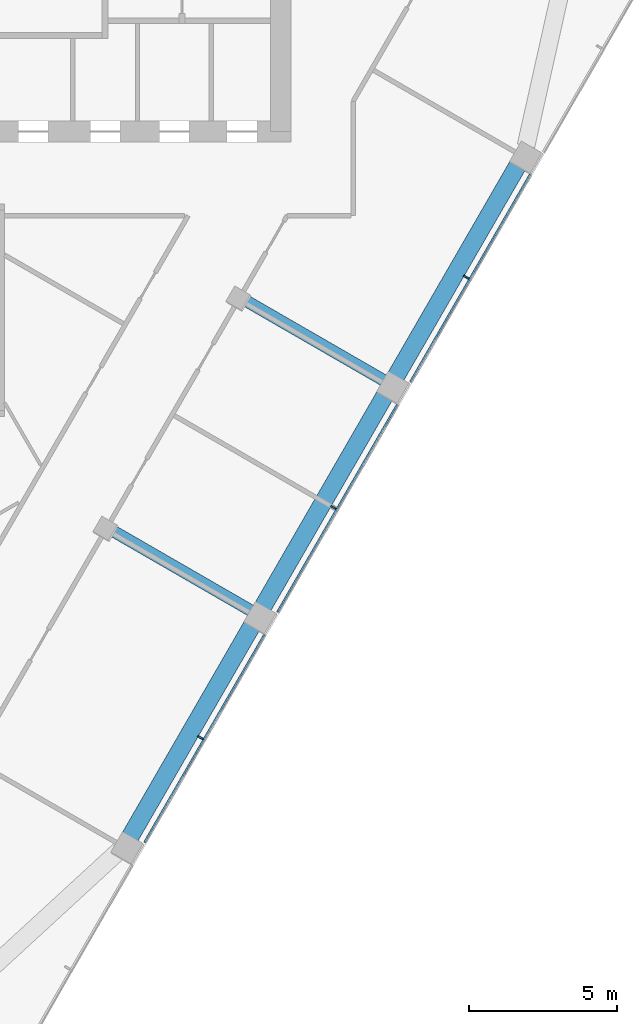
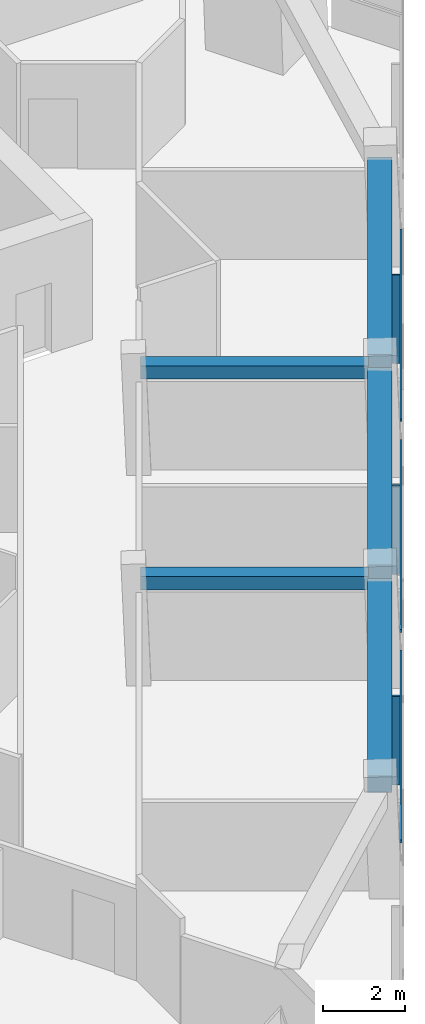
# One storey, part 4 of 13: 6 members, 5 beams, 1 element without a shape of its own.
"""IFC4 building model written with IfcOpenShell, lengths in metres."""

from ifc_helpers import new_model, si_unit, direction, frame, origin, origin_2d, place, context, subcontext, project, spatial, rectangle, extrude, material, layer, layer_set, material_profile, profile_set, type_object, element, aggregate, save


model = new_model("IFC4")

# Units and contexts
model_context = context("Model", 3, precision=1e-05, world=origin(), true_north=direction((0.0, 1.0)))
body_context = subcontext(model_context, "Body", "Model", "MODEL_VIEW")
ifc_project = project(units=[si_unit("LENGTHUNIT", "METRE"), si_unit("AREAUNIT", "SQUARE_METRE"), si_unit("VOLUMEUNIT", "CUBIC_METRE"), si_unit("PLANEANGLEUNIT", "RADIAN"), si_unit("MASSUNIT", "GRAM", prefix="KILO")], contexts=[model_context])

# Site, building, storey
site_placement = place(None, origin())
site = spatial("IfcSite", under=ifc_project, at=site_placement, CompositionType="ELEMENT")
building_placement = place(site_placement, origin())
building = spatial("IfcBuilding", under=site, at=building_placement, Name="Altiplano Prism Tower", CompositionType="ELEMENT")
storey_placement = place(building_placement, frame((0.0, 0.0, 201.60009765625)))
storey = spatial("IfcBuildingStorey", under=building, at=storey_placement, Name="L52", CompositionType="ELEMENT", Elevation=201.60009765625)

# Curtain wall, members
ifc_material_1 = material(Name="Aluminium and glass", Category="aluminium")
ifc_layer = layer(ifc_material_1, 0.303955078125)
ifc_layer_set = layer_set([ifc_layer], Name="Aluminium and glass")
curtain_wall_type = type_object("IfcCurtainWallType", Name="CW2 lounge-band unitised glazing", PredefinedType="NOTDEFINED", material=ifc_layer_set)
curtain_wall_placement = place(storey_placement, origin())
curtain_wall = element("IfcCurtainWall", 1, at=curtain_wall_placement, inside=storey, type_object=curtain_wall_type, Name="CW2 curtain wall south-east face L52", PredefinedType="NOTDEFINED")
ifc_material_2 = material(Name="Aluminium", Category="aluminium")
ifc_material_profile_1 = material_profile(ifc_material_2, rectangle(XDim=0.199951171875, YDim=0.06005859375, at=origin_2d()), Name="CW2 mullion 60 x 200")
ifc_profile_set_1 = profile_set([ifc_material_profile_1], Name="Aluminium")
member_type_1 = type_object("IfcMemberType", Name="CW2 mullion 60 x 200", PredefinedType="MULLION", material=ifc_profile_set_1)
member_1_placement = place(storey_placement, frame((94.63037109375, 72.52734375, 0.0), z_axis=(0.0, 0.0, 1.0), x_axis=(-0.866025408017, 0.499999992669, 0.0)))
member_1 = element("IfcMember", 2, at=member_1_placement, type_object=member_type_1, Name="CW2 mullion", PredefinedType="MULLION", context=body_context, shape_type="SweptSolid", body=[
    extrude(rectangle(XDim=0.199951171875, YDim=0.06005859375, at=origin_2d()), origin(), (0.0, 0.0, 1.0), 2.64990234375),
])
member_2_placement = place(storey_placement, frame((99.13037109375, 80.321533203125, 0.0), z_axis=(0.0, 0.0, 1.0), x_axis=(-0.866025408017, 0.499999992669, 0.0)))
member_2 = element("IfcMember", 3, at=member_2_placement, type_object=member_type_1, Name="CW2 mullion", PredefinedType="MULLION", context=body_context, shape_type="SweptSolid", body=[
    extrude(rectangle(XDim=0.199951171875, YDim=0.06005859375, at=origin_2d()), origin(), (0.0, 0.0, 1.0), 2.64990234375),
])
member_3_placement = place(storey_placement, frame((103.63037109375, 88.11572265625, 0.0), z_axis=(0.0, 0.0, 1.0), x_axis=(-0.866025408017, 0.499999992669, 0.0)))
member_3 = element("IfcMember", 4, at=member_3_placement, type_object=member_type_1, Name="CW2 mullion", PredefinedType="MULLION", context=body_context, shape_type="SweptSolid", body=[
    extrude(rectangle(XDim=0.199951171875, YDim=0.06005859375, at=origin_2d()), origin(), (0.0, 0.0, 1.0), 2.64990234375),
])
ifc_material_profile_2 = material_profile(ifc_material_2, rectangle(XDim=0.06005859375, YDim=0.080078125, at=origin_2d()), Name="CW2 transom 80 x 60")
ifc_profile_set_2 = profile_set([ifc_material_profile_2], Name="Aluminium")
member_type_2 = type_object("IfcMemberType", Name="CW2 transom 80 x 60", PredefinedType="USERDEFINED", material=ifc_profile_set_2)
member_4_placement = place(storey_placement, frame((92.732666015625, 68.98046875, 1.099853515625), z_axis=(0.50001308349, 0.866017849896, 0.0), x_axis=(-0.866017849896, 0.50001308349, 0.0)))
member_4 = element("IfcMember", 5, at=member_4_placement, type_object=member_type_2, Name="CW2 transom", ObjectType="TRANSOM", PredefinedType="USERDEFINED", context=body_context, shape_type="SweptSolid", body=[
    extrude(rectangle(XDim=0.06005859375, YDim=0.080078125, at=origin_2d()), origin(), (0.0, 0.0, 1.0), 8.119873046875),
])
member_5_placement = place(storey_placement, frame((97.232666015625, 76.774658203125, 1.099853515625), z_axis=(0.50001308349, 0.866017849896, 0.0), x_axis=(-0.866017849896, 0.50001308349, 0.0)))
member_5 = element("IfcMember", 6, at=member_5_placement, type_object=member_type_2, Name="CW2 transom", ObjectType="TRANSOM", PredefinedType="USERDEFINED", context=body_context, shape_type="SweptSolid", body=[
    extrude(rectangle(XDim=0.06005859375, YDim=0.080078125, at=origin_2d()), origin(), (0.0, 0.0, 1.0), 8.119873046875),
])
member_6_placement = place(storey_placement, frame((101.732666015625, 84.56884765625, 1.099853515625), z_axis=(0.50001308349, 0.866017849896, 0.0), x_axis=(-0.866017849896, 0.50001308349, 0.0)))
member_6 = element("IfcMember", 7, at=member_6_placement, type_object=member_type_2, Name="CW2 transom", ObjectType="TRANSOM", PredefinedType="USERDEFINED", context=body_context, shape_type="SweptSolid", body=[
    extrude(rectangle(XDim=0.06005859375, YDim=0.080078125, at=origin_2d()), origin(), (0.0, 0.0, 1.0), 8.119873046875),
])
aggregate(curtain_wall, [member_1, member_4, member_2, member_5, member_3, member_6])

# Beams
ifc_material_3 = material(Name="Concrete C60/75", Category="concrete")
ifc_material_profile_3 = material_profile(ifc_material_3, rectangle(XDim=0.60009765625, YDim=0.5, at=origin_2d()), Name="Edge beam 600x500")
ifc_profile_set_3 = profile_set([ifc_material_profile_3], Name="Concrete C60/75")
beam_type_1 = type_object("IfcBeamType", Name="Edge beam 600x500", PredefinedType="SPANDREL", material=ifc_profile_set_3)
for number, where, z_axis, x_axis, name in (
    (8, (92.227294921875, 69.13427734375, 2.89990234375), (0.500006240468, 0.866021800818, 0.0), (-0.866021800818, 0.500006240468, 0.0), "Edge beam P21-P22 L53"),
    (9, (96.727294921875, 76.928466796875, 2.89990234375), (0.500006240468, 0.866021800818, 0.0), (-0.866021800818, 0.500006240468, 0.0), "Edge beam P22-P23 L53"),
    (10, (101.227294921875, 84.72265625, 2.89990234375), (0.499993714791, 0.866029032521, 0.0), (-0.866029032521, 0.499993714791, 0.0), "Edge beam P23-P24 L53"),
):
    element("IfcBeam", number, at=place(storey_placement, frame(where, z_axis=z_axis, x_axis=x_axis)), inside=storey, type_object=beam_type_1, Name=name, PredefinedType="SPANDREL", context=body_context, shape_type="SweptSolid", body=[
        extrude(rectangle(XDim=0.60009765625, YDim=0.5, at=origin_2d()), origin(), (0.0, 0.0, 1.0), 8.43994140625),
    ])
ifc_material_profile_4 = material_profile(ifc_material_3, rectangle(XDim=0.39990234375, YDim=0.39990234375, at=origin_2d()), Name="Tie beam 400x400")
ifc_profile_set_4 = profile_set([ifc_material_profile_4], Name="Concrete C60/75")
beam_type_2 = type_object("IfcBeamType", Name="Tie beam 400x400", PredefinedType="BEAM", material=ifc_profile_set_4)
for number, where, z_axis, x_axis, name in (
    (11, (91.503662109375, 79.620849609375, 2.949951171875), (0.866041588165, -0.499971966783, 0.0), (0.499971966783, 0.866041588165, 0.0), "Tie beam I22 L53"),
    (12, (96.003662109375, 87.4150390625, 2.949951171875), (0.866041588165, -0.499971966783, 0.0), (0.499971966783, 0.866041588165, 0.0), "Tie beam I23 L53"),
):
    element("IfcBeam", number, at=place(storey_placement, frame(where, z_axis=z_axis, x_axis=x_axis)), inside=storey, type_object=beam_type_2, Name=name, PredefinedType="BEAM", context=body_context, shape_type="SweptSolid", body=[
        extrude(rectangle(XDim=0.39990234375, YDim=0.39990234375, at=origin_2d()), origin(), (0.0, 0.0, 1.0), 5.590087890625),
    ])

save(model, "model.ifc")
